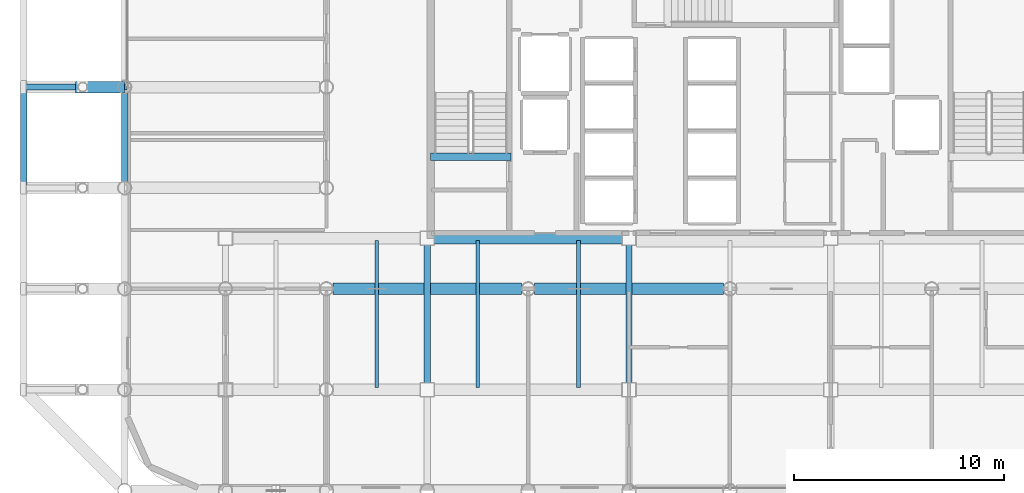
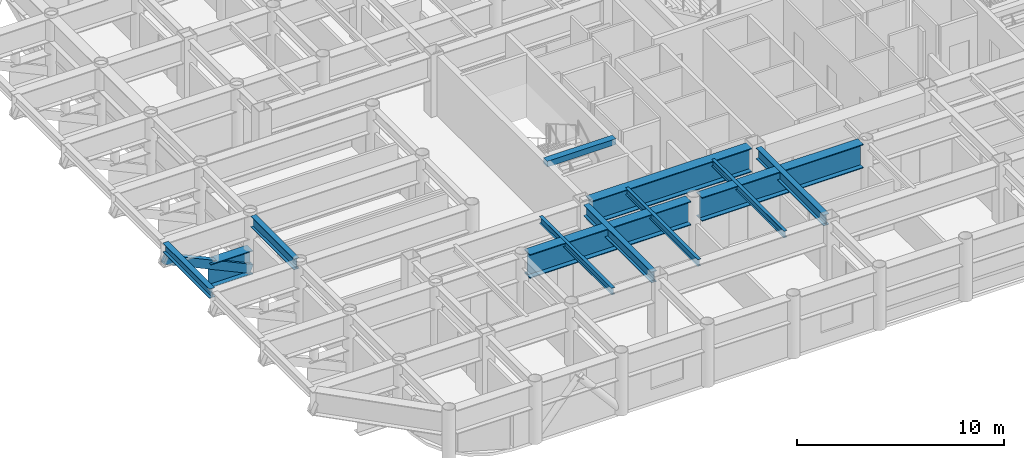
# One storey, part 4 of 23: 12 beams, 1 member.
"""IFC4 building model written with IfcOpenShell, lengths in metres."""

from ifc_helpers import new_model, si_unit, direction, frame, origin, origin_2d, place, context, subcontext, project, spatial, rectangle, hollow_rectangle, i_section, extrude, material, material_profile, profile_set, type_object, element, save


model = new_model("IFC4")

# Units and contexts
model_context = context("Model", 3, precision=1e-05, world=origin(), true_north=direction((0.0, 1.0)))
body_context = subcontext(model_context, "Body", "Model", "MODEL_VIEW")
ifc_project = project(units=[si_unit("LENGTHUNIT", "METRE"), si_unit("AREAUNIT", "SQUARE_METRE"), si_unit("VOLUMEUNIT", "CUBIC_METRE"), si_unit("PLANEANGLEUNIT", "RADIAN"), si_unit("MASSUNIT", "GRAM", prefix="KILO")], contexts=[model_context])

# Site, building, storey
site_placement = place(None, origin())
site = spatial("IfcSite", under=ifc_project, at=site_placement, CompositionType="ELEMENT")
building_placement = place(site_placement, origin())
building = spatial("IfcBuilding", under=site, at=building_placement, Name="Kallvorn Hotel Tower", CompositionType="ELEMENT")
storey_placement = place(building_placement, frame((0.0, 0.0, 121.10009765625)))
storey = spatial("IfcBuildingStorey", under=building, at=storey_placement, Name="L29", CompositionType="ELEMENT", Elevation=121.10009765625)

# Beams
ifc_material_1 = material(Name="Structural steel S355JR", Category="steel")
ifc_material_profile_1 = material_profile(ifc_material_1, i_section(OverallWidth=0.300048828125, OverallDepth=0.550048828125, WebThickness=0.014892578125, FlangeThickness=0.029052734375, at=origin_2d()), Name="HE 550 B")
ifc_profile_set_1 = profile_set([ifc_material_profile_1], Name="Structural steel S355JR")
beam_type_1 = type_object("IfcBeamType", Name="BM_HE550B", PredefinedType="SPANDREL", material=ifc_profile_set_1)
beam_1_placement = place(storey_placement, frame((-33.60009765625, -4.64990234375, 3.244873046875), z_axis=(0.0, 1.0, 0.0), x_axis=(-1.0, 0.0, 0.0)))
element("IfcBeam", 1, at=beam_1_placement, inside=storey, type_object=beam_type_1, Name="L30 Perimeter Spandrel 185", PredefinedType="SPANDREL", context=body_context, shape_type="SweptSolid", body=[
    extrude(i_section(OverallWidth=0.300048828125, OverallDepth=0.550048828125, WebThickness=0.014892578125, FlangeThickness=0.029052734375, at=origin_2d()), origin(), (0.0, 0.0, 1.0), 4.5),
])
ifc_material_2 = material(Name="Structural steel S355JR", Category="steel")
ifc_material_profile_2 = material_profile(ifc_material_2, i_section(OverallWidth=0.300048828125, OverallDepth=0.64990234375, WebThickness=0.01611328125, FlangeThickness=0.031005859375, at=origin_2d()), Name="HE 650 B")
ifc_profile_set_2 = profile_set([ifc_material_profile_2], Name="Structural steel S355JR")
beam_type_2 = type_object("IfcBeamType", Name="BM_HE650B", PredefinedType="BEAM", material=ifc_profile_set_2)
beam_2_placement = place(storey_placement, frame((-28.800048828125, -4.4951171875, 3.19482421875), z_axis=(0.0, 1.0, 0.0), x_axis=(-1.0, 0.0, 0.0)))
element("IfcBeam", 2, at=beam_2_placement, inside=storey, type_object=beam_type_2, Name="L30 Primary Y-Girder 85", PredefinedType="BEAM", context=body_context, shape_type="SweptSolid", body=[
    extrude(i_section(OverallWidth=0.300048828125, OverallDepth=0.64990234375, WebThickness=0.01611328125, FlangeThickness=0.031005859375, at=origin_2d()), origin(), (0.0, 0.0, 1.0), 4.190185546875),
])
for number, where, z_axis, x_axis, name in (
    (3, (-14.39990234375, -14.074951171875, 3.19482421875), (0.0, 1.0, 0.0), (-1.0, 0.0, 0.0), "L30 Primary Y-Girder 107"),
    (4, (-4.800048828125, -14.074951171875, 3.19482421875), (0.0, 1.0, 0.0), (-1.0, 0.0, 0.0), "L30 Primary Y-Girder 115"),
):
    element("IfcBeam", number, at=place(storey_placement, frame(where, z_axis=z_axis, x_axis=x_axis)), inside=storey, type_object=beam_type_2, Name=name, PredefinedType="BEAM", context=body_context, shape_type="SweptSolid", body=[
        extrude(i_section(OverallWidth=0.300048828125, OverallDepth=0.64990234375, WebThickness=0.01611328125, FlangeThickness=0.031005859375, at=origin_2d()), origin(), (0.0, 0.0, 1.0), 6.550048828125),
    ])
ifc_material_3 = material(Name="Structural steel S355JR", Category="steel")
ifc_material_profile_3 = material_profile(ifc_material_3, i_section(OverallWidth=0.179931640625, OverallDepth=0.39990234375, WebThickness=0.008544921875, FlangeThickness=0.013427734375, at=origin_2d()), Name="IPE 400")
ifc_profile_set_3 = profile_set([ifc_material_profile_3], Name="Structural steel S355JR")
beam_type_3 = type_object("IfcBeamType", Name="BM_IPE400", PredefinedType="JOIST", material=ifc_profile_set_3)
for number, where, z_axis, x_axis, name in (
    (5, (-16.800048828125, -14.300048828125, 3.31982421875), (0.0, 1.0, 0.0), (-1.0, 0.0, 0.0), "L30 Secondary Composite Joist 203"),
    (6, (-12.0, -14.300048828125, 3.31982421875), (0.0, 1.0, 0.0), (-1.0, 0.0, 0.0), "L30 Secondary Composite Joist 205"),
    (7, (-7.199951171875, -14.300048828125, 3.31982421875), (0.0, 1.0, 0.0), (-1.0, 0.0, 0.0), "L30 Secondary Composite Joist 207"),
):
    element("IfcBeam", number, at=place(storey_placement, frame(where, z_axis=z_axis, x_axis=x_axis)), inside=storey, type_object=beam_type_3, Name=name, PredefinedType="JOIST", context=body_context, shape_type="SweptSolid", body=[
        extrude(i_section(OverallWidth=0.179931640625, OverallDepth=0.39990234375, WebThickness=0.008544921875, FlangeThickness=0.013427734375, at=origin_2d()), origin(), (0.0, 0.0, 1.0), 7.0),
    ])
ifc_material_4 = material(Name="Structural steel S355JR", Category="steel")
ifc_material_profile_4 = material_profile(ifc_material_4, i_section(OverallWidth=0.550048828125, OverallDepth=1.39990234375, WebThickness=0.02490234375, FlangeThickness=0.044921875, at=origin_2d()), Name="PG 1400x550x25x45")
ifc_profile_set_4 = profile_set([ifc_material_profile_4], Name="Structural steel S355JR")
beam_type_4 = type_object("IfcBeamType", Name="BM_PG_1400", PredefinedType="BEAM", material=ifc_profile_set_4)
beam_3_placement = place(storey_placement, frame((-28.800048828125, 0.0, 0.719970703125), z_axis=(-1.0, 0.0, 0.0), x_axis=(0.0, -1.0, 0.0)))
element("IfcBeam", 8, at=beam_3_placement, inside=storey, type_object=beam_type_4, Name="L30 Cantilever Haunch Corbel 04", PredefinedType="BEAM", context=body_context, shape_type="SweptSolid", body=[
    extrude(i_section(OverallWidth=0.550048828125, OverallDepth=1.39990234375, WebThickness=0.02490234375, FlangeThickness=0.044921875, at=origin_2d()), origin(), (0.0, 0.0, 1.0), 2.349853515625),
])
for number, where, z_axis, x_axis, name in (
    (9, (-18.89501953125, -9.60009765625, 2.81982421875), (1.0, 0.0, 0.0), (0.0, 1.0, 0.0), "L30 Primary X-Girder 34"),
    (10, (-9.294921875, -9.60009765625, 2.81982421875), (1.0, 0.0, 0.0), (0.0, 1.0, 0.0), "L30 Primary X-Girder 35"),
):
    element("IfcBeam", number, at=place(storey_placement, frame(where, z_axis=z_axis, x_axis=x_axis)), inside=storey, type_object=beam_type_4, Name=name, PredefinedType="BEAM", context=body_context, shape_type="SweptSolid", body=[
        extrude(i_section(OverallWidth=0.550048828125, OverallDepth=1.39990234375, WebThickness=0.02490234375, FlangeThickness=0.044921875, at=origin_2d()), origin(), (0.0, 0.0, 1.0), 8.989990234375),
    ])
beam_4_placement = place(storey_placement, frame((-14.074951171875, -7.199951171875, 2.81982421875), z_axis=(1.0, 0.0, 0.0), x_axis=(0.0, 1.0, 0.0)))
element("IfcBeam", 11, at=beam_4_placement, inside=storey, type_object=beam_type_4, Name="L30 Primary X-Girder 42", PredefinedType="BEAM", context=body_context, shape_type="SweptSolid", body=[
    extrude(i_section(OverallWidth=0.550048828125, OverallDepth=1.39990234375, WebThickness=0.02490234375, FlangeThickness=0.044921875, at=origin_2d()), origin(), (0.0, 0.0, 1.0), 8.949951171875),
])
ifc_material_5 = material(Name="Concrete C50/60", Category="concrete")
ifc_material_profile_5 = material_profile(ifc_material_5, rectangle(XDim=0.360107421875, YDim=0.340087890625, at=origin_2d()), Name="RC 360x340")
ifc_profile_set_5 = profile_set([ifc_material_profile_5], Name="Concrete C50/60")
beam_type_5 = type_object("IfcBeamType", Name="BM_RC_400x360", PredefinedType="BEAM", material=ifc_profile_set_5)
beam_5_placement = place(storey_placement, frame((-10.419921875, -3.31005859375, 3.349853515625), z_axis=(-1.0, 0.0, 0.0), x_axis=(0.0, -1.0, 0.0)))
element("IfcBeam", 12, at=beam_5_placement, inside=storey, type_object=beam_type_5, Name="L30 Stair ST1 Arrival Trimmer Beam", PredefinedType="BEAM", context=body_context, shape_type="SweptSolid", body=[
    extrude(rectangle(XDim=0.360107421875, YDim=0.340087890625, at=origin_2d()), origin(), (0.0, 0.0, 1.0), 3.820068359375),
])

# Member
ifc_material_6 = material(Name="Structural steel S355J2H", Category="steel")
ifc_material_profile_6 = material_profile(ifc_material_6, hollow_rectangle(XDim=0.300048828125, YDim=0.5, WallThickness=0.02490234375, at=origin_2d()), Name="RHS 500x300x25")
ifc_profile_set_6 = profile_set([ifc_material_profile_6], Name="Structural steel S355J2H")
member_type = type_object("IfcMemberType", Name="MBR_OUTRIGGER_RHS500", PredefinedType="BRACE", material=ifc_profile_set_6)
member_placement = place(storey_placement, frame((-28.800048828125, 0.0, 0.25), z_axis=(-0.907630778312, 0.0, 0.419769425115), x_axis=(0.0, -1.0, 0.0)))
element("IfcMember", 13, at=member_placement, inside=storey, type_object=member_type, Name="L30 Exoskeleton Cantilever Raking Strut 04", PredefinedType="BRACE", context=body_context, shape_type="SweptSolid", body=[
    extrude(hollow_rectangle(XDim=0.300048828125, YDim=0.5, WallThickness=0.02490234375, at=origin_2d()), origin(), (0.0, 0.0, 1.0), 5.28857421875),
])

save(model, "model.ifc")
